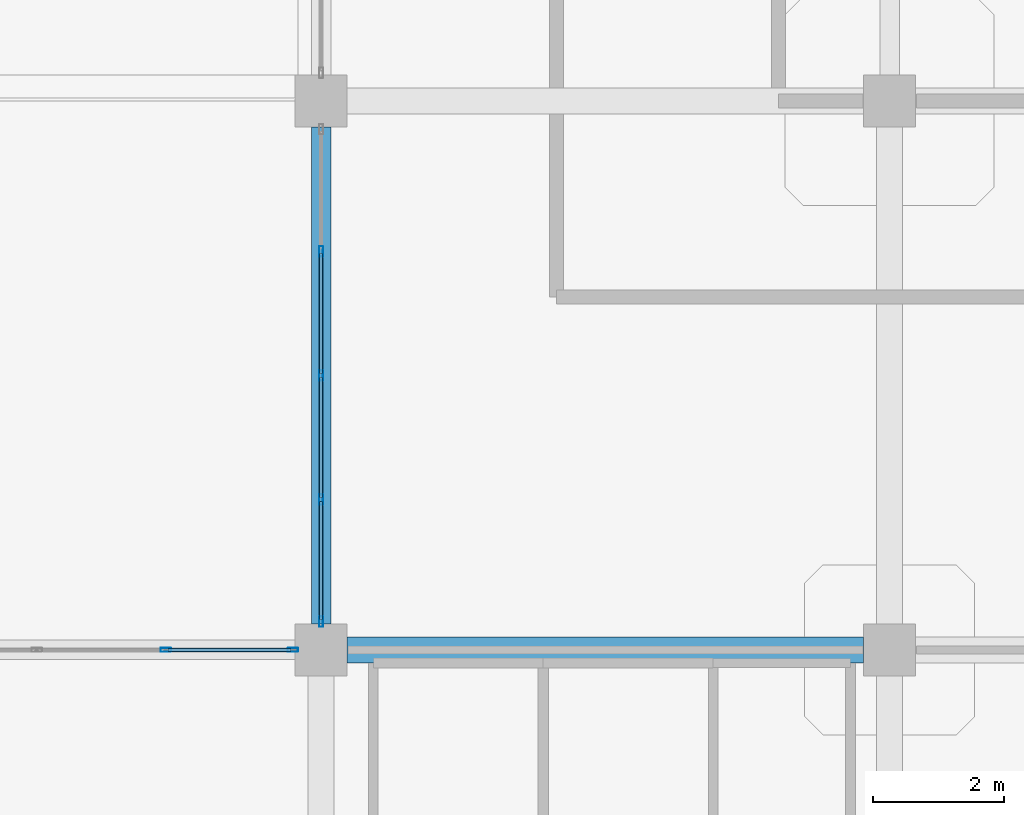
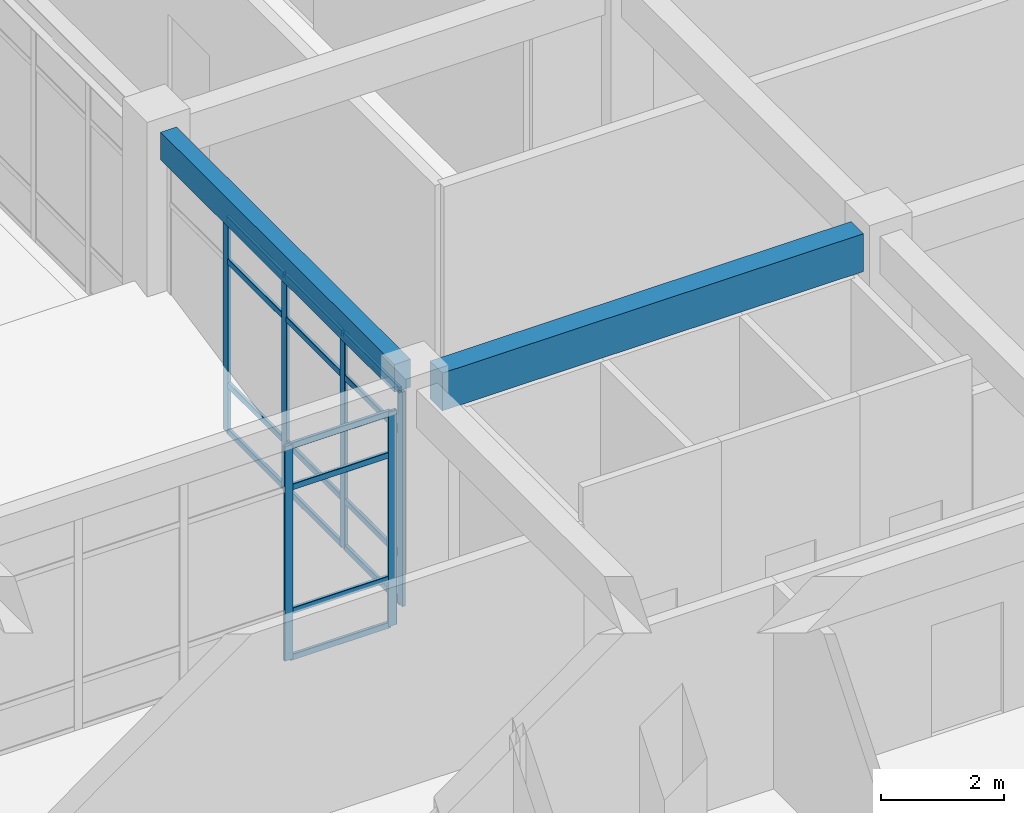
# One storey, part 21 of 124: 22 members, 2 beams, 2 elements without a shape of their own.
"""IFC4 building model written with IfcOpenShell, lengths in metres."""

from ifc_helpers import new_model, si_unit, derived_unit, direction, frame, origin, origin_2d, place, context, subcontext, project, spatial, rectangle, hollow_rectangle, extrude, material, layer, layer_set, material_profile, profile_set, type_object, element, aggregate, save


model = new_model("IFC4")

# Units and contexts
model_context = context("Model", 3, precision=1e-05, world=origin(), true_north=direction((0.0, 1.0)))
body_context = subcontext(model_context, "Body", "Model", "MODEL_VIEW")
ifc_project = project(units=[si_unit("LENGTHUNIT", "METRE"), si_unit("AREAUNIT", "SQUARE_METRE"), si_unit("VOLUMEUNIT", "CUBIC_METRE"), si_unit("PLANEANGLEUNIT", "RADIAN"), si_unit("MASSUNIT", "GRAM", prefix="KILO"), derived_unit("THERMALTRANSMITTANCEUNIT", [(si_unit("MASSUNIT", "GRAM", prefix="KILO"), 1), (si_unit("TIMEUNIT", "SECOND"), -3), (si_unit("THERMODYNAMICTEMPERATUREUNIT", "KELVIN"), -1)])], contexts=[model_context])

# Site, building, storey
site_placement = place(None, origin())
site = spatial("IfcSite", under=ifc_project, at=site_placement, CompositionType="ELEMENT")
building_placement = place(site_placement, origin())
building = spatial("IfcBuilding", under=site, at=building_placement, Name="Qinzheling Arcade Emporium", CompositionType="ELEMENT")
storey_placement = place(building_placement, frame((0.0, 0.0, 16.5)))
storey = spatial("IfcBuildingStorey", under=building, at=storey_placement, Name="L04", CompositionType="ELEMENT", Elevation=16.5)

# Curtain wall, members
ifc_material_1 = material(Name="Anodised aluminium and solar-control double glazing", Category="aluminium")
ifc_layer = layer(ifc_material_1, 0.159912109375, Name="Anodised aluminium and solar-control double glazing", Category="aluminium")
ifc_layer_set = layer_set([ifc_layer], Name="Anodised aluminium and solar-control double glazing")
curtain_wall_type = type_object("IfcCurtainWallType", Name="Atrium Clerestory Curtain Wall", PredefinedType="NOTDEFINED", material=ifc_layer_set)
curtain_wall_1_placement = place(storey_placement, origin())
curtain_wall_1 = element("IfcCurtainWall", 1, at=curtain_wall_1_placement, inside=storey, type_object=curtain_wall_type, Name="Curtain Wall CW-L04-239", PredefinedType="NOTDEFINED")
ifc_material_2 = material(Name="Anodised aluminium 6063-T6", Category="aluminium")
ifc_material_profile_1 = material_profile(ifc_material_2, hollow_rectangle(XDim=0.06005859375, YDim=0.159912109375, WallThickness=0.00390625, InnerFilletRadius=0.00390625, OuterFilletRadius=0.008056640625, at=origin_2d()), Name="RHS 160x60x4", Category="aluminium")
ifc_profile_set_1 = profile_set([ifc_material_profile_1], Name="Anodised aluminium 6063-T6")
member_type_1 = type_object("IfcMemberType", Name="Curtain Wall Mullion RHS160x60", PredefinedType="MULLION", material=ifc_profile_set_1)
member_1_placement = place(storey_placement, frame((32.424072265625, 42.0, 0.0), z_axis=(0.0, 0.0, 1.0), x_axis=(0.0, 1.0, 0.0)))
member_1 = element("IfcMember", 2, at=member_1_placement, type_object=member_type_1, Name="CW03 mullion 4", PredefinedType="MULLION", context=body_context, shape_type="SweptSolid", body=[
    extrude(hollow_rectangle(XDim=0.06005859375, YDim=0.159912109375, WallThickness=0.00390625, InnerFilletRadius=0.00390625, OuterFilletRadius=0.008056640625, at=origin_2d()), origin(), (0.0, 0.0, 1.0), 4.2548828125),
])
member_2_placement = place(storey_placement, frame((34.367919921875, 42.0, 0.0), z_axis=(0.0, 0.0, 1.0), x_axis=(0.0, 1.0, 0.0)))
member_2 = element("IfcMember", 3, at=member_2_placement, type_object=member_type_1, Name="CW03 mullion 5", PredefinedType="MULLION", context=body_context, shape_type="SweptSolid", body=[
    extrude(hollow_rectangle(XDim=0.06005859375, YDim=0.159912109375, WallThickness=0.00390625, InnerFilletRadius=0.00390625, OuterFilletRadius=0.008056640625, at=origin_2d()), origin(), (0.0, 0.0, 1.0), 4.2548828125),
])

curtain_wall_2_placement = place(storey_placement, origin())
curtain_wall_2 = element("IfcCurtainWall", 4, at=curtain_wall_2_placement, inside=storey, type_object=curtain_wall_type, Name="Curtain Wall CW-L04-240", PredefinedType="NOTDEFINED")
member_3_placement = place(storey_placement, frame((34.800048828125, 42.431884765625, 0.0), z_axis=(0.0, 0.0, 1.0), x_axis=(-1.0, 0.0, 0.0)))
member_3 = element("IfcMember", 5, at=member_3_placement, type_object=member_type_1, Name="CW03 mullion 1", PredefinedType="MULLION", context=body_context, shape_type="SweptSolid", body=[
    extrude(hollow_rectangle(XDim=0.06005859375, YDim=0.159912109375, WallThickness=0.00390625, InnerFilletRadius=0.00390625, OuterFilletRadius=0.008056640625, at=origin_2d()), origin(), (0.0, 0.0, 1.0), 4.2548828125),
])
member_4_placement = place(storey_placement, frame((34.800048828125, 44.301025390625, 0.0), z_axis=(0.0, 0.0, 1.0), x_axis=(-1.0, 0.0, 0.0)))
member_4 = element("IfcMember", 6, at=member_4_placement, type_object=member_type_1, Name="CW03 mullion 2", PredefinedType="MULLION", context=body_context, shape_type="SweptSolid", body=[
    extrude(hollow_rectangle(XDim=0.06005859375, YDim=0.159912109375, WallThickness=0.00390625, InnerFilletRadius=0.00390625, OuterFilletRadius=0.008056640625, at=origin_2d()), origin(), (0.0, 0.0, 1.0), 4.2548828125),
])
member_5_placement = place(storey_placement, frame((34.800048828125, 46.199951171875, 0.0), z_axis=(0.0, 0.0, 1.0), x_axis=(-1.0, 0.0, 0.0)))
member_5 = element("IfcMember", 7, at=member_5_placement, type_object=member_type_1, Name="CW03 mullion 3", PredefinedType="MULLION", context=body_context, shape_type="SweptSolid", body=[
    extrude(hollow_rectangle(XDim=0.06005859375, YDim=0.159912109375, WallThickness=0.00390625, InnerFilletRadius=0.00390625, OuterFilletRadius=0.008056640625, at=origin_2d()), origin(), (0.0, 0.0, 1.0), 4.2548828125),
])
member_6_placement = place(storey_placement, frame((34.800048828125, 48.09912109375, 0.0), z_axis=(0.0, 0.0, 1.0), x_axis=(-1.0, 0.0, 0.0)))
member_6 = element("IfcMember", 8, at=member_6_placement, type_object=member_type_1, Name="CW03 mullion 4", PredefinedType="MULLION", context=body_context, shape_type="SweptSolid", body=[
    extrude(hollow_rectangle(XDim=0.06005859375, YDim=0.159912109375, WallThickness=0.00390625, InnerFilletRadius=0.00390625, OuterFilletRadius=0.008056640625, at=origin_2d()), origin(), (0.0, 0.0, 1.0), 4.2548828125),
])

# Member
ifc_material_profile_2 = material_profile(ifc_material_2, hollow_rectangle(XDim=0.06005859375, YDim=0.1201171875, WallThickness=0.00390625, InnerFilletRadius=0.00390625, OuterFilletRadius=0.008056640625, at=origin_2d()), Name="RHS 120x60x4", Category="aluminium")
ifc_profile_set_2 = profile_set([ifc_material_profile_2], Name="Anodised aluminium 6063-T6")
member_type_2 = type_object("IfcMemberType", Name="Curtain Wall Transom RHS120x60", PredefinedType="USERDEFINED", material=ifc_profile_set_2)
member_7_placement = place(storey_placement, frame((32.4541015625, 42.0, 0.030029296875), z_axis=(1.0, 0.0, 0.0), x_axis=(0.0, 1.0, 0.0)))
member_7 = element("IfcMember", 9, at=member_7_placement, type_object=member_type_2, Name="CW03 transom 4.1", ObjectType="TRANSOM", PredefinedType="USERDEFINED", context=body_context, shape_type="SweptSolid", body=[
    extrude(hollow_rectangle(XDim=0.06005859375, YDim=0.1201171875, WallThickness=0.00390625, InnerFilletRadius=0.00390625, OuterFilletRadius=0.008056640625, at=origin_2d()), origin(), (0.0, 0.0, 1.0), 1.8837890625),
])

member_8_placement = place(storey_placement, frame((32.4541015625, 42.0, 0.949951171875), z_axis=(1.0, 0.0, 0.0), x_axis=(0.0, 1.0, 0.0)))
member_8 = element("IfcMember", 10, at=member_8_placement, type_object=member_type_2, Name="CW03 transom 4.2", ObjectType="TRANSOM", PredefinedType="USERDEFINED", context=body_context, shape_type="SweptSolid", body=[
    extrude(hollow_rectangle(XDim=0.06005859375, YDim=0.1201171875, WallThickness=0.00390625, InnerFilletRadius=0.00390625, OuterFilletRadius=0.008056640625, at=origin_2d()), origin(), (0.0, 0.0, 1.0), 1.8837890625),
])

member_9_placement = place(storey_placement, frame((32.4541015625, 42.0, 3.405029296875), z_axis=(1.0, 0.0, 0.0), x_axis=(0.0, 1.0, 0.0)))
member_9 = element("IfcMember", 11, at=member_9_placement, type_object=member_type_2, Name="CW03 transom 4.3", ObjectType="TRANSOM", PredefinedType="USERDEFINED", context=body_context, shape_type="SweptSolid", body=[
    extrude(hollow_rectangle(XDim=0.06005859375, YDim=0.1201171875, WallThickness=0.00390625, InnerFilletRadius=0.00390625, OuterFilletRadius=0.008056640625, at=origin_2d()), origin(), (0.0, 0.0, 1.0), 1.8837890625),
])

member_10_placement = place(storey_placement, frame((32.4541015625, 42.0, 4.22509765625), z_axis=(1.0, 0.0, 0.0), x_axis=(0.0, 1.0, 0.0)))
member_10 = element("IfcMember", 12, at=member_10_placement, type_object=member_type_2, Name="CW03 transom 4.4", ObjectType="TRANSOM", PredefinedType="USERDEFINED", context=body_context, shape_type="SweptSolid", body=[
    extrude(hollow_rectangle(XDim=0.06005859375, YDim=0.1201171875, WallThickness=0.00390625, InnerFilletRadius=0.00390625, OuterFilletRadius=0.008056640625, at=origin_2d()), origin(), (0.0, 0.0, 1.0), 1.8837890625),
])

aggregate(curtain_wall_1, [member_1, member_2, member_7, member_8, member_9, member_10])

member_11_placement = place(storey_placement, frame((34.800048828125, 42.4619140625, 0.030029296875), z_axis=(0.0, 1.0, 0.0), x_axis=(-1.0, 0.0, 0.0)))
member_11 = element("IfcMember", 13, at=member_11_placement, type_object=member_type_2, Name="CW03 transom 1.1", ObjectType="TRANSOM", PredefinedType="USERDEFINED", context=body_context, shape_type="SweptSolid", body=[
    extrude(hollow_rectangle(XDim=0.06005859375, YDim=0.1201171875, WallThickness=0.00390625, InnerFilletRadius=0.00390625, OuterFilletRadius=0.008056640625, at=origin_2d()), origin(), (0.0, 0.0, 1.0), 1.80908203125),
])

member_12_placement = place(storey_placement, frame((34.800048828125, 42.4619140625, 0.949951171875), z_axis=(0.0, 1.0, 0.0), x_axis=(-1.0, 0.0, 0.0)))
member_12 = element("IfcMember", 14, at=member_12_placement, type_object=member_type_2, Name="CW03 transom 1.2", ObjectType="TRANSOM", PredefinedType="USERDEFINED", context=body_context, shape_type="SweptSolid", body=[
    extrude(hollow_rectangle(XDim=0.06005859375, YDim=0.1201171875, WallThickness=0.00390625, InnerFilletRadius=0.00390625, OuterFilletRadius=0.008056640625, at=origin_2d()), origin(), (0.0, 0.0, 1.0), 1.80908203125),
])

member_13_placement = place(storey_placement, frame((34.800048828125, 42.4619140625, 3.405029296875), z_axis=(0.0, 1.0, 0.0), x_axis=(-1.0, 0.0, 0.0)))
member_13 = element("IfcMember", 15, at=member_13_placement, type_object=member_type_2, Name="CW03 transom 1.3", ObjectType="TRANSOM", PredefinedType="USERDEFINED", context=body_context, shape_type="SweptSolid", body=[
    extrude(hollow_rectangle(XDim=0.06005859375, YDim=0.1201171875, WallThickness=0.00390625, InnerFilletRadius=0.00390625, OuterFilletRadius=0.008056640625, at=origin_2d()), origin(), (0.0, 0.0, 1.0), 1.80908203125),
])

member_14_placement = place(storey_placement, frame((34.800048828125, 42.4619140625, 4.22509765625), z_axis=(0.0, 1.0, 0.0), x_axis=(-1.0, 0.0, 0.0)))
member_14 = element("IfcMember", 16, at=member_14_placement, type_object=member_type_2, Name="CW03 transom 1.4", ObjectType="TRANSOM", PredefinedType="USERDEFINED", context=body_context, shape_type="SweptSolid", body=[
    extrude(hollow_rectangle(XDim=0.06005859375, YDim=0.1201171875, WallThickness=0.00390625, InnerFilletRadius=0.00390625, OuterFilletRadius=0.008056640625, at=origin_2d()), origin(), (0.0, 0.0, 1.0), 1.80908203125),
])

member_15_placement = place(storey_placement, frame((34.800048828125, 44.3310546875, 0.030029296875), z_axis=(0.0, 1.0, 0.0), x_axis=(-1.0, 0.0, 0.0)))
member_15 = element("IfcMember", 17, at=member_15_placement, type_object=member_type_2, Name="CW03 transom 2.1", ObjectType="TRANSOM", PredefinedType="USERDEFINED", context=body_context, shape_type="SweptSolid", body=[
    extrude(hollow_rectangle(XDim=0.06005859375, YDim=0.1201171875, WallThickness=0.00390625, InnerFilletRadius=0.00390625, OuterFilletRadius=0.008056640625, at=origin_2d()), origin(), (0.0, 0.0, 1.0), 1.8388671875),
])

member_16_placement = place(storey_placement, frame((34.800048828125, 44.3310546875, 0.949951171875), z_axis=(0.0, 1.0, 0.0), x_axis=(-1.0, 0.0, 0.0)))
member_16 = element("IfcMember", 18, at=member_16_placement, type_object=member_type_2, Name="CW03 transom 2.2", ObjectType="TRANSOM", PredefinedType="USERDEFINED", context=body_context, shape_type="SweptSolid", body=[
    extrude(hollow_rectangle(XDim=0.06005859375, YDim=0.1201171875, WallThickness=0.00390625, InnerFilletRadius=0.00390625, OuterFilletRadius=0.008056640625, at=origin_2d()), origin(), (0.0, 0.0, 1.0), 1.8388671875),
])

member_17_placement = place(storey_placement, frame((34.800048828125, 44.3310546875, 3.405029296875), z_axis=(0.0, 1.0, 0.0), x_axis=(-1.0, 0.0, 0.0)))
member_17 = element("IfcMember", 19, at=member_17_placement, type_object=member_type_2, Name="CW03 transom 2.3", ObjectType="TRANSOM", PredefinedType="USERDEFINED", context=body_context, shape_type="SweptSolid", body=[
    extrude(hollow_rectangle(XDim=0.06005859375, YDim=0.1201171875, WallThickness=0.00390625, InnerFilletRadius=0.00390625, OuterFilletRadius=0.008056640625, at=origin_2d()), origin(), (0.0, 0.0, 1.0), 1.8388671875),
])

member_18_placement = place(storey_placement, frame((34.800048828125, 44.3310546875, 4.22509765625), z_axis=(0.0, 1.0, 0.0), x_axis=(-1.0, 0.0, 0.0)))
member_18 = element("IfcMember", 20, at=member_18_placement, type_object=member_type_2, Name="CW03 transom 2.4", ObjectType="TRANSOM", PredefinedType="USERDEFINED", context=body_context, shape_type="SweptSolid", body=[
    extrude(hollow_rectangle(XDim=0.06005859375, YDim=0.1201171875, WallThickness=0.00390625, InnerFilletRadius=0.00390625, OuterFilletRadius=0.008056640625, at=origin_2d()), origin(), (0.0, 0.0, 1.0), 1.8388671875),
])

member_19_placement = place(storey_placement, frame((34.800048828125, 46.22998046875, 0.030029296875), z_axis=(0.0, 1.0, 0.0), x_axis=(-1.0, 0.0, 0.0)))
member_19 = element("IfcMember", 21, at=member_19_placement, type_object=member_type_2, Name="CW03 transom 3.1", ObjectType="TRANSOM", PredefinedType="USERDEFINED", context=body_context, shape_type="SweptSolid", body=[
    extrude(hollow_rectangle(XDim=0.06005859375, YDim=0.1201171875, WallThickness=0.00390625, InnerFilletRadius=0.00390625, OuterFilletRadius=0.008056640625, at=origin_2d()), origin(), (0.0, 0.0, 1.0), 1.839111328125),
])

member_20_placement = place(storey_placement, frame((34.800048828125, 46.22998046875, 0.949951171875), z_axis=(0.0, 1.0, 0.0), x_axis=(-1.0, 0.0, 0.0)))
member_20 = element("IfcMember", 22, at=member_20_placement, type_object=member_type_2, Name="CW03 transom 3.2", ObjectType="TRANSOM", PredefinedType="USERDEFINED", context=body_context, shape_type="SweptSolid", body=[
    extrude(hollow_rectangle(XDim=0.06005859375, YDim=0.1201171875, WallThickness=0.00390625, InnerFilletRadius=0.00390625, OuterFilletRadius=0.008056640625, at=origin_2d()), origin(), (0.0, 0.0, 1.0), 1.839111328125),
])

member_21_placement = place(storey_placement, frame((34.800048828125, 46.22998046875, 3.405029296875), z_axis=(0.0, 1.0, 0.0), x_axis=(-1.0, 0.0, 0.0)))
member_21 = element("IfcMember", 23, at=member_21_placement, type_object=member_type_2, Name="CW03 transom 3.3", ObjectType="TRANSOM", PredefinedType="USERDEFINED", context=body_context, shape_type="SweptSolid", body=[
    extrude(hollow_rectangle(XDim=0.06005859375, YDim=0.1201171875, WallThickness=0.00390625, InnerFilletRadius=0.00390625, OuterFilletRadius=0.008056640625, at=origin_2d()), origin(), (0.0, 0.0, 1.0), 1.839111328125),
])

member_22_placement = place(storey_placement, frame((34.800048828125, 46.22998046875, 4.22509765625), z_axis=(0.0, 1.0, 0.0), x_axis=(-1.0, 0.0, 0.0)))
member_22 = element("IfcMember", 24, at=member_22_placement, type_object=member_type_2, Name="CW03 transom 3.4", ObjectType="TRANSOM", PredefinedType="USERDEFINED", context=body_context, shape_type="SweptSolid", body=[
    extrude(hollow_rectangle(XDim=0.06005859375, YDim=0.1201171875, WallThickness=0.00390625, InnerFilletRadius=0.00390625, OuterFilletRadius=0.008056640625, at=origin_2d()), origin(), (0.0, 0.0, 1.0), 1.839111328125),
])

aggregate(curtain_wall_2, [member_3, member_4, member_5, member_6, member_11, member_12, member_13, member_14, member_15, member_16, member_17, member_18, member_19, member_20, member_21, member_22])

# Beams
ifc_material_3 = material(Name="Concrete C40", Category="concrete")
ifc_material_profile_3 = material_profile(ifc_material_3, rectangle(XDim=0.39990234375, YDim=0.75, at=origin_2d()), Name="RC 400x750", Category="concrete")
ifc_profile_set_3 = profile_set([ifc_material_profile_3], Name="Concrete C40")
beam_type_1 = type_object("IfcBeamType", Name="RC Interior Tie Beam 400x750 C40", PredefinedType="BEAM", material=ifc_profile_set_3)
beam_1_placement = place(storey_placement, frame((35.199951171875, 42.0, 4.445068359375), z_axis=(1.0, 0.0, 0.0), x_axis=(0.0, 1.0, 0.0)))
element("IfcBeam", 25, at=beam_1_placement, inside=storey, type_object=beam_type_1, Name="Beam BM-L04-X-F-5", PredefinedType="BEAM", context=body_context, shape_type="SweptSolid", body=[
    extrude(rectangle(XDim=0.39990234375, YDim=0.75, at=origin_2d()), origin(), (0.0, 0.0, 1.0), 7.900146484375),
])
ifc_material_profile_4 = material_profile(ifc_material_3, rectangle(XDim=0.300048828125, YDim=0.550048828125, at=origin_2d()), Name="RC 300x550", Category="concrete")
ifc_profile_set_4 = profile_set([ifc_material_profile_4], Name="Concrete C40")
beam_type_2 = type_object("IfcBeamType", Name="RC Terrace Spandrel Beam 300x550 C40", PredefinedType="SPANDREL", material=ifc_profile_set_4)
beam_2_placement = place(storey_placement, frame((34.800048828125, 42.39990234375, 4.544921875), z_axis=(0.0, 1.0, 0.0), x_axis=(-1.0, 0.0, 0.0)))
element("IfcBeam", 26, at=beam_2_placement, inside=storey, type_object=beam_type_2, Name="Beam BM-L04-Y-5-F", PredefinedType="SPANDREL", context=body_context, shape_type="SweptSolid", body=[
    extrude(rectangle(XDim=0.300048828125, YDim=0.550048828125, at=origin_2d()), origin(), (0.0, 0.0, 1.0), 7.60009765625),
])

save(model, "model.ifc")
